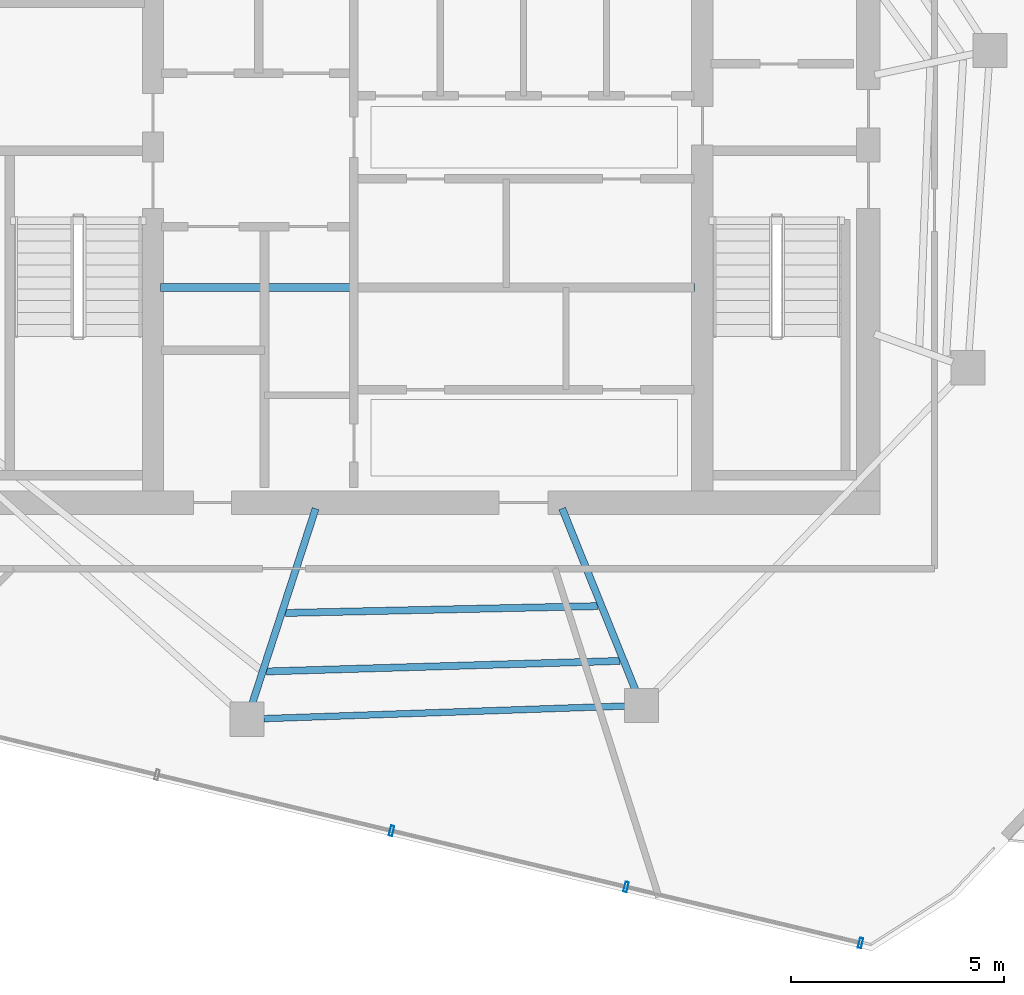
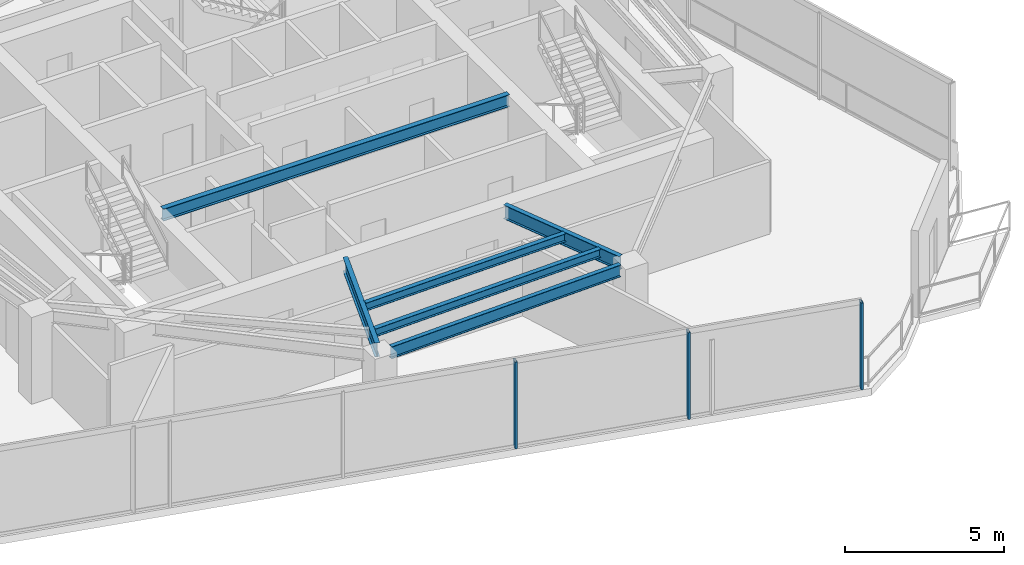
# One storey, part 4 of 18: 6 beams, 3 members, 1 element without a shape of its own.
"""IFC4 building model written with IfcOpenShell, lengths in metres."""

import ifcopenshell
import ifcopenshell.guid

model = None  # the IFC model being written
_history = None  # IfcOwnerHistory: only IFC2X3 demands one
_inside = {}  # id of a spatial element -> (the spatial element, [elements in it])
_under = {}  # id of a project, library or spatial element -> (it, [spatial elements below it])
_declared = {}  # id of a project -> (the project, [libraries it declares])
_typed = {}  # id of a type object -> (the type object, [elements of that type])
_made_of = {}  # id of a material, layer set ... -> (it, [elements and type objects made of it])


def new_model(schema):
    """Start an empty IFC model of exactly this schema.

    Asked for "IFC4X3", IfcOpenShell would pick the latest addendum, in which some entities
    have other attributes; the version numbers below select the first issue.
    IFC2X3 requires an IfcOwnerHistory on every rooted entity: one is made here for all.
    """
    global model, _history
    if schema == "IFC4X3":
        model = ifcopenshell.file(schema_version=(4, 3, 0, 0))
    else:
        model = ifcopenshell.file(schema=schema)
    _inside.clear()
    _under.clear()
    _declared.clear()
    _typed.clear()
    _made_of.clear()
    _history = None
    if model.schema == "IFC2X3":
        org = make("IfcOrganization", Name="unknown")
        user = make(
            "IfcPersonAndOrganization",
            ThePerson=make("IfcPerson", FamilyName="unknown"),
            TheOrganization=org,
        )
        app = make(
            "IfcApplication",
            ApplicationDeveloper=org,
            Version="unknown",
            ApplicationFullName="unknown",
            ApplicationIdentifier="unknown",
        )
        _history = make(
            "IfcOwnerHistory",
            OwningUser=user,
            OwningApplication=app,
            ChangeAction="ADDED",
            CreationDate=0,
        )
    return model


def make(cls, **values):
    """One entity of the class cls with the attributes given. An attribute that is None is left unset."""
    return model.create_entity(
        cls, **{name: value for name, value in values.items() if value is not None}
    )


def rooted(cls, **values):
    """An entity with a GlobalId (a new one), such as an element, a storey or a relation."""
    return make(cls, GlobalId=ifcopenshell.guid.new(), OwnerHistory=_history, **values)


def si_unit(unit_type, name, prefix=None):
    """IfcSIUnit, for example si_unit("LENGTHUNIT", "METRE", prefix="MILLI")."""
    return make("IfcSIUnit", UnitType=unit_type, Prefix=prefix, Name=name)


def assignment(units):
    """IfcUnitAssignment: the units of a project."""
    return None if units is None else make("IfcUnitAssignment", Units=units)


def point(xyz):
    """IfcCartesianPoint."""
    return None if xyz is None else make("IfcCartesianPoint", Coordinates=xyz)


def direction(xyz):
    """IfcDirection."""
    return None if xyz is None else make("IfcDirection", DirectionRatios=xyz)


def frame(location, z_axis=None, x_axis=None):
    """IfcAxis2Placement3D, a coordinate frame: its origin and axes. An axis left out is left unset."""
    return make(
        "IfcAxis2Placement3D",
        Location=point(location),
        Axis=direction(z_axis),
        RefDirection=direction(x_axis),
    )


def frame_2d(location, x_axis=None):
    """IfcAxis2Placement2D, a coordinate frame in the plane: its origin and x axis."""
    return make(
        "IfcAxis2Placement2D", Location=point(location), RefDirection=direction(x_axis)
    )


def origin():
    """The frame at (0, 0, 0) with its axes left unset."""
    return frame((0.0, 0.0, 0.0))


def origin_2d():
    """The frame at (0, 0) in the plane with its x axis left unset."""
    return frame_2d((0.0, 0.0))


def place(relative_to, where):
    """IfcLocalPlacement: puts the frame where relative to a parent placement (None: the world)."""
    return make(
        "IfcLocalPlacement", PlacementRelTo=relative_to, RelativePlacement=where
    )


def context(
    kind, dimensions, precision=None, world=None, true_north=None, identifier=None
):
    """IfcGeometricRepresentationContext, for example the 3D "Model" context."""
    return make(
        "IfcGeometricRepresentationContext",
        ContextIdentifier=identifier,
        ContextType=kind,
        CoordinateSpaceDimension=dimensions,
        Precision=precision,
        WorldCoordinateSystem=world,
        TrueNorth=true_north,
    )


def subcontext(parent, identifier, kind, view, scale=None):
    """IfcGeometricRepresentationSubContext, for example "Body" below "Model"."""
    return make(
        "IfcGeometricRepresentationSubContext",
        ContextIdentifier=identifier,
        ContextType=kind,
        ParentContext=parent,
        TargetScale=scale,
        TargetView=view,
    )


def project(units=None, contexts=None):
    """IfcProject with its units and contexts."""
    return rooted(
        "IfcProject",
        Name="project",
        RepresentationContexts=contexts,
        UnitsInContext=assignment(units),
    )


def spatial(cls, under=None, at=None, **own):
    """A site, building, storey or space (cls), placed at a placement, below another one or the project."""
    s = rooted(cls, ObjectPlacement=at, **own)
    if under is not None:
        _under.setdefault(under.id(), (under, []))[1].append(s)
    return s


def profile(cls, at=None, kind="AREA", **sizes):
    """A parametric profile (cls). Its sizes go by their IFC names, for example OverallWidth=200.0."""
    return make(cls, ProfileType=kind, Position=at, **sizes)


def hollow_rectangle(**sizes):
    """IfcRectangleHollowProfileDef."""
    return profile("IfcRectangleHollowProfileDef", **sizes)


def i_section(**sizes):
    """IfcIShapeProfileDef."""
    return profile("IfcIShapeProfileDef", **sizes)


def extrude(swept, where, along, depth):
    """IfcExtrudedAreaSolid: the profile swept, set in the frame where, extruded along a direction by depth."""
    return make(
        "IfcExtrudedAreaSolid",
        SweptArea=swept,
        Position=where,
        ExtrudedDirection=direction(along),
        Depth=depth,
    )


def shape(context_of_items, identifier, shape_type, items):
    """IfcShapeRepresentation: the items that make up one representation, for example the "Body"."""
    return make(
        "IfcShapeRepresentation",
        ContextOfItems=context_of_items,
        RepresentationIdentifier=identifier,
        RepresentationType=shape_type,
        Items=items,
    )


def material(Name=None, Category=None):
    """IfcMaterial."""
    return make("IfcMaterial", Name=Name, Category=Category)


def layer(
    of_material, thickness, ventilated=None, Name=None, Category=None, Priority=None
):
    """IfcMaterialLayer: one layer of a wall or slab, of a material (None: an air gap)."""
    return make(
        "IfcMaterialLayer",
        Material=of_material,
        LayerThickness=thickness,
        IsVentilated=ventilated,
        Name=Name,
        Category=Category,
        Priority=Priority,
    )


def layer_set(layers, Name=None):
    """IfcMaterialLayerSet."""
    return make("IfcMaterialLayerSet", MaterialLayers=layers, LayerSetName=Name)


def material_profile(
    of_material, cross_section, Name=None, Category=None, Priority=None
):
    """IfcMaterialProfile: a cross section and its material."""
    return make(
        "IfcMaterialProfile",
        Name=Name,
        Material=of_material,
        Profile=cross_section,
        Priority=Priority,
        Category=Category,
    )


def profile_set(profiles, Name=None, composite=None):
    """IfcMaterialProfileSet."""
    return make(
        "IfcMaterialProfileSet",
        Name=Name,
        MaterialProfiles=profiles,
        CompositeProfile=composite,
    )


def made_of(thing, what):
    """Note that an element or type object is made of a material, layer set ...; save() writes the relation."""
    if what is not None:
        _made_of.setdefault(what.id(), (what, []))[1].append(thing)
    return thing


def type_object(cls, material=None, **own):
    """A type object (cls), such as IfcWallType, which elements share."""
    return made_of(rooted(cls, **own), material)


def element(
    cls,
    number,
    at=None,
    inside=None,
    cuts=None,
    type_object=None,
    material=None,
    context=None,
    identifier="Body",
    shape_type=None,
    held_by="IfcProductDefinitionShape",
    body=None,
    shapes=None,
    **own,
):
    """One element of the class cls, such as IfcWall. Its Tag is "e" and its number.

    at: its placement. inside: the storey or other place that contains it. cuts: it is an
    opening in that element (IfcRelVoidsElement). A single representation is given by context,
    identifier, shape_type and body (its items); several are given by shapes. held_by: the class
    of the entity that holds the representations. save() writes the other relations.
    """
    e = rooted(cls, Tag="e%d" % number, ObjectPlacement=at, **own)
    if body is not None:
        shapes = [shape(context, identifier, shape_type, body)]
    if shapes is not None:
        e.Representation = make(held_by, Representations=shapes)
    if inside is not None:
        _inside.setdefault(inside.id(), (inside, []))[1].append(e)
    if cuts is not None:
        rooted(
            "IfcRelVoidsElement", RelatingBuildingElement=cuts, RelatedOpeningElement=e
        )
    if type_object is not None:
        _typed.setdefault(type_object.id(), (type_object, []))[1].append(e)
    return made_of(e, material)


def aggregate(whole, parts):
    """IfcRelAggregates: a whole, such as a stair, and the parts it consists of."""
    return rooted("IfcRelAggregates", RelatingObject=whole, RelatedObjects=parts)


def save(model, path):
    """Write the relations noted so far, then the file.

    IfcRelAggregates (storeys below a building ...), IfcRelContainedInSpatialStructure (elements
    in a storey), IfcRelDefinesByType, IfcRelAssociatesMaterial and IfcRelDeclares: one each for
    every whole, place, type object, material and project.
    """
    for whole, parts in _under.values():
        aggregate(whole, parts)
    for where, things in _inside.values():
        rooted(
            "IfcRelContainedInSpatialStructure",
            RelatedElements=things,
            RelatingStructure=where,
        )
    for kind, things in _typed.values():
        rooted("IfcRelDefinesByType", RelatedObjects=things, RelatingType=kind)
    for what, things in _made_of.values():
        rooted("IfcRelAssociatesMaterial", RelatedObjects=things, RelatingMaterial=what)
    for by, libraries in _declared.values():
        rooted("IfcRelDeclares", RelatingContext=by, RelatedDefinitions=libraries)
    model.write(path)


model = new_model("IFC4")

# Units and contexts
model_context = context("Model", 3, precision=1e-05, world=origin(), true_north=direction((0.0, 1.0)))
body_context = subcontext(model_context, "Body", "Model", "MODEL_VIEW")
ifc_project = project(units=[si_unit("LENGTHUNIT", "METRE"), si_unit("AREAUNIT", "SQUARE_METRE"), si_unit("VOLUMEUNIT", "CUBIC_METRE"), si_unit("PLANEANGLEUNIT", "RADIAN"), si_unit("MASSUNIT", "GRAM", prefix="KILO")], contexts=[model_context])

# Site, building, storey
site_placement = place(None, origin())
site = spatial("IfcSite", under=ifc_project, at=site_placement, CompositionType="ELEMENT")
building_placement = place(site_placement, origin())
building = spatial("IfcBuilding", under=site, at=building_placement, Name="Qarnah Convention Tower", CompositionType="ELEMENT")
storey_placement = place(building_placement, frame((0.0, 0.0, 242.699951171875)))
storey = spatial("IfcBuildingStorey", under=building, at=storey_placement, Name="L65", CompositionType="ELEMENT", Elevation=242.699951171875)

# Beams
ifc_material_1 = material(Name="Structural steel S355JR", Category="steel")
ifc_material_profile_1 = material_profile(ifc_material_1, i_section(OverallWidth=0.19189453125, OverallDepth=0.464111328125, WebThickness=0.010986328125, FlangeThickness=0.01806640625, at=origin_2d()), Name="W460X89")
ifc_profile_set_1 = profile_set([ifc_material_profile_1], Name="Structural steel S355JR")
beam_type_1 = type_object("IfcBeamType", Name="BM-CANT-W460A", PredefinedType="BEAM", material=ifc_profile_set_1)
beam_1_placement = place(storey_placement, frame((30.97998046875, 23.64990234375, 3.088134765625), z_axis=(1.0, 0.0, 0.0), x_axis=(0.0, 1.0, 0.0)))
element("IfcBeam", 1, at=beam_1_placement, inside=storey, type_object=beam_type_1, Name="L65 beam BM-L65-KC1", PredefinedType="BEAM", context=body_context, shape_type="SweptSolid", body=[
    extrude(i_section(OverallWidth=0.19189453125, OverallDepth=0.464111328125, WebThickness=0.010986328125, FlangeThickness=0.01806640625, at=origin_2d()), origin(), (0.0, 0.0, 1.0), 12.5400390625),
])
ifc_material_profile_2 = material_profile(ifc_material_1, i_section(OverallWidth=0.166015625, OverallDepth=0.31201171875, WebThickness=0.007080078125, FlangeThickness=0.010986328125, at=origin_2d()), Name="W310X45")
ifc_profile_set_2 = profile_set([ifc_material_profile_2], Name="Structural steel S355JR")
beam_type_2 = type_object("IfcBeamType", Name="BM-JST-W310", PredefinedType="JOIST", material=ifc_profile_set_2)
beam_2_placement = place(storey_placement, frame((33.467041015625, 14.635009765625, 3.1640625), z_axis=(0.99955680435, 0.029769025486, 0.0), x_axis=(-0.029769025486, 0.99955680435, 0.0)))
element("IfcBeam", 2, at=beam_2_placement, inside=storey, type_object=beam_type_2, Name="L65 joist BM-L65-SJST-07", PredefinedType="JOIST", context=body_context, shape_type="SweptSolid", body=[
    extrude(i_section(OverallWidth=0.166015625, OverallDepth=0.31201171875, WebThickness=0.007080078125, FlangeThickness=0.010986328125, at=origin_2d()), origin(), (0.0, 0.0, 1.0), 8.299560546875),
])
beam_3_placement = place(storey_placement, frame((33.9130859375, 16.008056640625, 3.1640625), z_axis=(0.999759189308, 0.021944552701, 0.0), x_axis=(-0.021944552701, 0.999759189308, 0.0)))
element("IfcBeam", 3, at=beam_3_placement, inside=storey, type_object=beam_type_2, Name="L65 joist BM-L65-IJST-07", PredefinedType="JOIST", context=body_context, shape_type="SweptSolid", body=[
    extrude(i_section(OverallWidth=0.166015625, OverallDepth=0.31201171875, WebThickness=0.007080078125, FlangeThickness=0.010986328125, at=origin_2d()), origin(), (0.0, 0.0, 1.0), 7.33154296875),
])
ifc_material_profile_3 = material_profile(ifc_material_1, i_section(OverallWidth=0.166015625, OverallDepth=0.535888671875, WebThickness=0.010009765625, FlangeThickness=0.01708984375, at=origin_2d()), Name="W530X85")
ifc_profile_set_3 = profile_set([ifc_material_profile_3], Name="Structural steel S355JR")
beam_type_3 = type_object("IfcBeamType", Name="BM-RAD-W530B", PredefinedType="BEAM", material=ifc_profile_set_3)
beam_4_placement = place(storey_placement, frame((34.6201171875, 18.45703125, 3.052001953125), z_axis=(-0.309228111383, -0.950987894313, 0.0), x_axis=(0.950987894313, -0.309228111383, 0.0)))
element("IfcBeam", 4, at=beam_4_placement, inside=storey, type_object=beam_type_3, Name="L65 beam BM-L65-RAD-07", PredefinedType="BEAM", context=body_context, shape_type="SweptSolid", body=[
    extrude(i_section(OverallWidth=0.166015625, OverallDepth=0.535888671875, WebThickness=0.010009765625, FlangeThickness=0.01708984375, at=origin_2d()), origin(), (0.0, 0.0, 1.0), 4.819091796875),
])
beam_5_placement = place(storey_placement, frame((40.407958984375, 18.4609375, 3.052001953125), z_axis=(0.374622495532, -0.927177429536, 0.0), x_axis=(0.927177429536, 0.374622495532, 0.0)))
element("IfcBeam", 5, at=beam_5_placement, inside=storey, type_object=beam_type_3, Name="L65 beam BM-L65-RAD-08", PredefinedType="BEAM", context=body_context, shape_type="SweptSolid", body=[
    extrude(i_section(OverallWidth=0.166015625, OverallDepth=0.535888671875, WebThickness=0.010009765625, FlangeThickness=0.01708984375, at=origin_2d()), origin(), (0.0, 0.0, 1.0), 4.607421875),
])
ifc_material_profile_4 = material_profile(ifc_material_1, i_section(OverallWidth=0.154052734375, OverallDepth=0.4599609375, WebThickness=0.009033203125, FlangeThickness=0.014892578125, at=origin_2d()), Name="W460X68")
ifc_profile_set_4 = profile_set([ifc_material_profile_4], Name="Structural steel S355JR")
beam_type_4 = type_object("IfcBeamType", Name="BM-SPN-W460B", PredefinedType="SPANDREL", material=ifc_profile_set_4)
beam_6_placement = place(storey_placement, frame((33.403076171875, 13.527099609375, 3.090087890625), z_axis=(0.999392187652, 0.034860511467, 0.0), x_axis=(-0.034860511467, 0.999392187652, 0.0)))
element("IfcBeam", 6, at=beam_6_placement, inside=storey, type_object=beam_type_4, Name="L65 spandrel BM-L65-SPN-07", PredefinedType="SPANDREL", context=body_context, shape_type="SweptSolid", body=[
    extrude(i_section(OverallWidth=0.154052734375, OverallDepth=0.4599609375, WebThickness=0.009033203125, FlangeThickness=0.014892578125, at=origin_2d()), origin(), (0.0, 0.0, 1.0), 8.488037109375),
])

# Curtain wall, members
ifc_material_2 = material(Name="Tempered Low-E dark glass", Category="glass")
ifc_layer = layer(ifc_material_2, 0.176025390625)
ifc_layer_set = layer_set([ifc_layer], Name="Tempered Low-E dark glass")
curtain_wall_type = type_object("IfcCurtainWallType", Name="CWS-05", PredefinedType="NOTDEFINED", material=ifc_layer_set)
curtain_wall_placement = place(storey_placement, origin())
curtain_wall = element("IfcCurtainWall", 7, at=curtain_wall_placement, inside=storey, type_object=curtain_wall_type, Name="L65 unitised curtain wall CW-L65-F3", PredefinedType="NOTDEFINED")
ifc_material_3 = material(Name="Black anodised aluminium", Category="aluminium")
ifc_material_profile_5 = material_profile(ifc_material_3, hollow_rectangle(XDim=0.080078125, YDim=0.239990234375, WallThickness=0.0048828125, at=origin_2d()), Name="MUL-80X240")
ifc_profile_set_5 = profile_set([ifc_material_profile_5], Name="Black anodised aluminium")
member_type = type_object("IfcMemberType", Name="MUL-T5", PredefinedType="MULLION", material=ifc_profile_set_5)
member_1_placement = place(storey_placement, frame((47.4150390625, 8.260986328125, 0.0), z_axis=(0.0, 0.0, 1.0), x_axis=(-0.972607205471, 0.232454778111, 0.0)))
member_1 = element("IfcMember", 8, at=member_1_placement, type_object=member_type, Name="CW-L65-F3 mullion 1", PredefinedType="MULLION", context=body_context, shape_type="SweptSolid", body=[
    extrude(hollow_rectangle(XDim=0.080078125, YDim=0.239990234375, WallThickness=0.0048828125, at=origin_2d()), origin(), (0.0, 0.0, 1.0), 3.320068359375),
])
member_2_placement = place(storey_placement, frame((41.90966796875, 9.576904296875, 0.0), z_axis=(0.0, 0.0, 1.0), x_axis=(-0.972607205471, 0.232454778111, 0.0)))
member_2 = element("IfcMember", 9, at=member_2_placement, type_object=member_type, Name="CW-L65-F3 mullion 2", PredefinedType="MULLION", context=body_context, shape_type="SweptSolid", body=[
    extrude(hollow_rectangle(XDim=0.080078125, YDim=0.239990234375, WallThickness=0.0048828125, at=origin_2d()), origin(), (0.0, 0.0, 1.0), 3.320068359375),
])
member_3_placement = place(storey_placement, frame((36.404296875, 10.892578125, 0.0), z_axis=(0.0, 0.0, 1.0), x_axis=(-0.972607205471, 0.232454778111, 0.0)))
member_3 = element("IfcMember", 10, at=member_3_placement, type_object=member_type, Name="CW-L65-F3 mullion 3", PredefinedType="MULLION", context=body_context, shape_type="SweptSolid", body=[
    extrude(hollow_rectangle(XDim=0.080078125, YDim=0.239990234375, WallThickness=0.0048828125, at=origin_2d()), origin(), (0.0, 0.0, 1.0), 3.320068359375),
])
aggregate(curtain_wall, [member_1, member_2, member_3])

save(model, "model.ifc")
